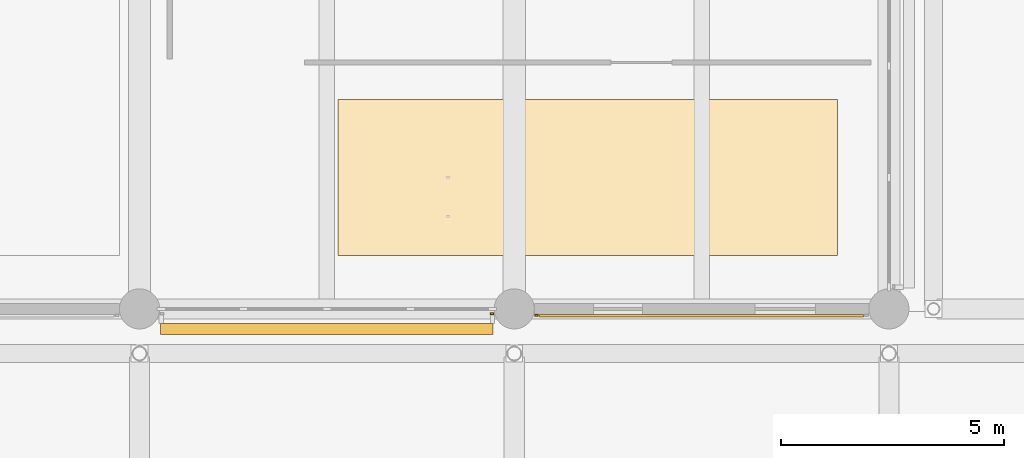
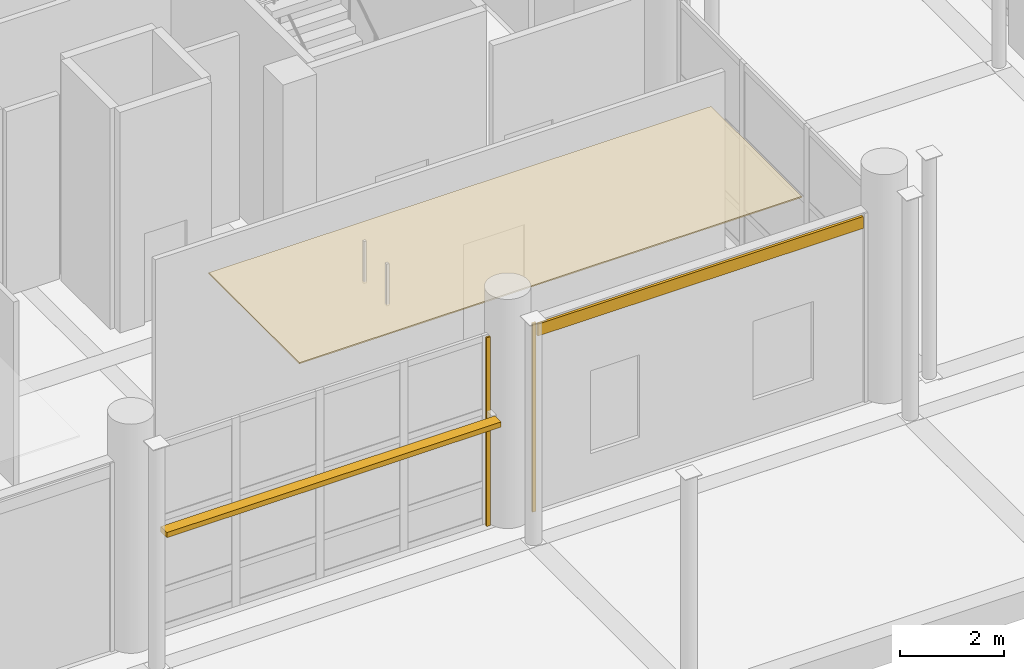
# One storey, part 93 of 140: 4 coverings, 1 shading device.
"""IFC4 building model written with IfcOpenShell, lengths in metres."""

from ifc_helpers import new_model, si_unit, direction, frame, origin, origin_2d, place, context, subcontext, project, spatial, polyline, rectangle, outline, extrude, material, layer, layer_set, type_object, element, save


model = new_model("IFC4")

# Units and contexts
model_context = context("Model", 3, precision=1e-05, world=origin(), true_north=direction((0.0, 1.0)))
body_context = subcontext(model_context, "Body", "Model", "MODEL_VIEW")
ifc_project = project(units=[si_unit("LENGTHUNIT", "METRE"), si_unit("AREAUNIT", "SQUARE_METRE"), si_unit("VOLUMEUNIT", "CUBIC_METRE"), si_unit("PLANEANGLEUNIT", "RADIAN"), si_unit("MASSUNIT", "GRAM", prefix="KILO")], contexts=[model_context])

# Site, building, storey
site_placement = place(None, origin())
site = spatial("IfcSite", under=ifc_project, at=site_placement, CompositionType="ELEMENT")
building_placement = place(site_placement, origin())
building = spatial("IfcBuilding", under=site, at=building_placement, Name="Telukmera Botanical Conservatory", CompositionType="ELEMENT")
storey_placement = place(building_placement, origin())
storey = spatial("IfcBuildingStorey", under=building, at=storey_placement, Name="L00", CompositionType="ELEMENT", Elevation=0.0)

# Coverings
ifc_material_1 = material(Name="Mineral fibre acoustic ceiling")
ifc_layer_1 = layer(ifc_material_1, 0.030029296875)
ifc_layer_set_1 = layer_set([ifc_layer_1], Name="Mineral fibre acoustic ceiling")
covering_type_1 = type_object("IfcCoveringType", Name="COV-CEIL-30", PredefinedType="CEILING", material=ifc_layer_set_1)
covering_1_placement = place(storey_placement, frame((0.0, 0.0, 4.219970703125)))
element("IfcCovering", 1, at=covering_1_placement, inside=storey, type_object=covering_type_1, Name="L00 Botanical Shop Suspended Acoustic Ceiling", PredefinedType="CEILING", context=body_context, shape_type="SweptSolid", body=[
    extrude(outline(polyline([(29.64990234375, 18.800048828125), (40.85009765625, 18.800048828125), (40.85009765625, 22.300048828125), (29.64990234375, 22.300048828125), (29.64990234375, 18.800048828125)])), origin(), (0.0, 0.0, 1.0), 0.030029296875),
])
ifc_material_2 = material(Name="Granite-faced precast concrete C40/50", Category="masonry")
ifc_layer_2 = layer(ifc_material_2, 0.0400390625)
ifc_layer_set_2 = layer_set([ifc_layer_2], Name="Granite-faced precast concrete C40/50")
covering_type_2 = type_object("IfcCoveringType", Name="Granite Precast Column Pier Reveal Casing", PredefinedType="CLADDING", material=ifc_layer_set_2)
for number, where, z_axis, x_axis, name in (
    (2, (33.097900390625, 17.489990234375, 0.0), (0.0, 0.0, 1.0), (1.0, 0.0, 0.0), "Granite Pier Reveal V3:L00:S3 R"),
    (3, (34.10205078125, 17.4599609375, 0.0), (0.0, 0.0, 1.0), (1.0, 0.0, 0.0), "Granite Pier Reveal V3:L00:S4 L"),
):
    element("IfcCovering", number, at=place(storey_placement, frame(where, z_axis=z_axis, x_axis=x_axis)), inside=storey, type_object=covering_type_2, Name=name, PredefinedType="CLADDING", context=body_context, shape_type="SweptSolid", body=[
        extrude(rectangle(XDim=0.080078125, YDim=0.0400390625, at=origin_2d()), origin(), (0.0, 0.0, 1.0), 4.449951171875),
    ])

# Shading device
ifc_material_3 = material(Name="Perforated terracotta-anodised aluminium 6063-T6", Category="masonry")
ifc_layer_3 = layer(ifc_material_3, 0.044921875)
ifc_layer_set_3 = layer_set([ifc_layer_3], Name="Perforated terracotta-anodised aluminium 6063-T6")
shading_device_type = type_object("IfcShadingDeviceType", Name="Perforated Terracotta Aluminium Monsoon Brise Soleil", PredefinedType="JALOUSIE", material=ifc_layer_set_3)
shading_device_placement = place(storey_placement, frame((29.39990234375, 17.14990234375, 2.58984375), z_axis=(0.0, 0.0, 1.0), x_axis=(1.0, 0.0, 0.0)))
element("IfcShadingDevice", 4, at=shading_device_placement, inside=storey, type_object=shading_device_type, Name="Monsoon Shading BS01 V3:L00:S3", PredefinedType="JALOUSIE", context=body_context, shape_type="SweptSolid", body=[
    extrude(rectangle(XDim=7.4560546875, YDim=0.239990234375, at=origin_2d()), origin(), (0.0, 0.0, 1.0), 0.1201171875),
])

# Covering
ifc_material_4 = material(Name="Terracotta-faced precast concrete C40/50", Category="masonry")
ifc_layer_4 = layer(ifc_material_4, 0.06005859375)
ifc_layer_set_4 = layer_set([ifc_layer_4], Name="Terracotta-faced precast concrete C40/50")
covering_type_3 = type_object("IfcCoveringType", Name="Polychrome Terracotta Facade Band Cladding", PredefinedType="CLADDING", material=ifc_layer_set_4)
covering_2_placement = place(storey_placement, frame((37.800048828125, 17.449951171875, 4.1298828125), z_axis=(0.0, 0.0, 1.0), x_axis=(1.0, 0.0, 0.0)))
element("IfcCovering", 5, at=covering_2_placement, inside=storey, type_object=covering_type_3, Name="Polychrome Terracotta Band V3:L00:S4", PredefinedType="CLADDING", context=body_context, shape_type="SweptSolid", body=[
    extrude(rectangle(XDim=7.256103515625, YDim=0.06005859375, at=origin_2d()), origin(), (0.0, 0.0, 1.0), 0.280029296875),
])

save(model, "model.ifc")
